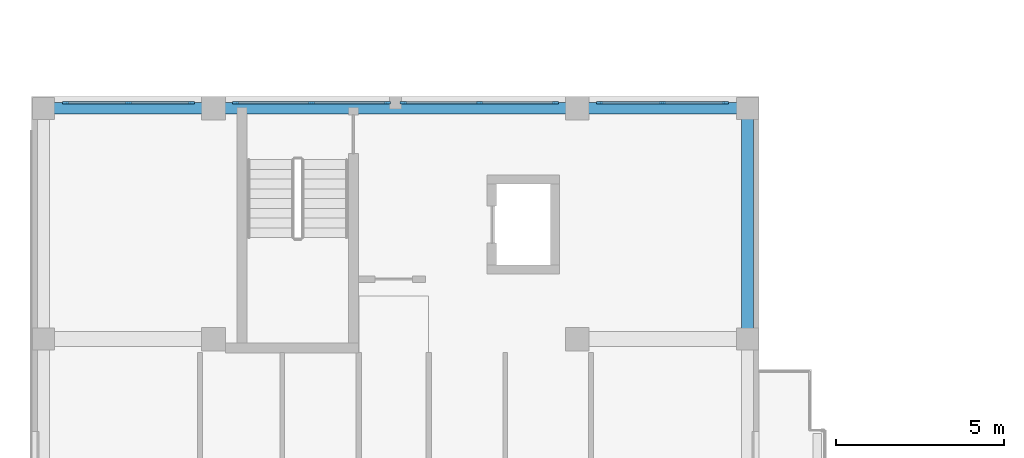
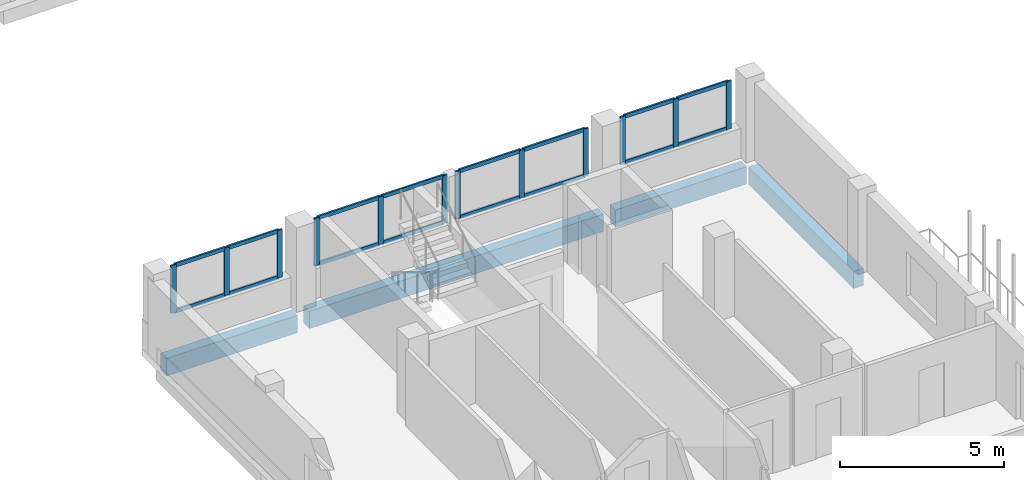
# One storey, part 7 of 56: 28 members, 4 beams, 4 elements without a shape of their own.
"""IFC4 building model written with IfcOpenShell, lengths in metres."""

from ifc_helpers import new_model, si_unit, derived_unit, direction, frame, origin, origin_2d, place, context, subcontext, project, spatial, rectangle, extrude, material, layer, layer_set, material_profile, profile_set, type_object, element, aggregate, save


model = new_model("IFC4")

# Units and contexts
model_context = context("Model", 3, precision=1e-05, world=origin(), true_north=direction((0.0, 1.0)))
body_context = subcontext(model_context, "Body", "Model", "MODEL_VIEW")
ifc_project = project(units=[si_unit("LENGTHUNIT", "METRE"), si_unit("AREAUNIT", "SQUARE_METRE"), si_unit("VOLUMEUNIT", "CUBIC_METRE"), si_unit("PLANEANGLEUNIT", "RADIAN"), si_unit("MASSUNIT", "GRAM", prefix="KILO"), derived_unit("THERMALTRANSMITTANCEUNIT", [(si_unit("MASSUNIT", "GRAM", prefix="KILO"), 1), (si_unit("TIMEUNIT", "SECOND"), -3), (si_unit("THERMODYNAMICTEMPERATUREUNIT", "KELVIN"), -1)])], contexts=[model_context])

# Site, building, storey
site_placement = place(None, origin())
site = spatial("IfcSite", under=ifc_project, at=site_placement, CompositionType="ELEMENT")
building_placement = place(site_placement, origin())
building = spatial("IfcBuilding", under=site, at=building_placement, Name="Ochrekiln Boulevard Commons", CompositionType="ELEMENT")
storey_placement = place(building_placement, frame((0.0, 0.0, 12.074951171875)))
storey = spatial("IfcBuildingStorey", under=building, at=storey_placement, Name="L03", CompositionType="ELEMENT", Elevation=12.074951171875)

# Curtain wall, members
ifc_material_1 = material(Name="Bronze-anodized extruded aluminium 6063-T6", Category="aluminium")
ifc_layer = layer(ifc_material_1, 0.172119140625)
ifc_layer_set = layer_set([ifc_layer], Name="Bronze-anodized extruded aluminium 6063-T6")
curtain_wall_type = type_object("IfcCurtainWallType", Name="CW-GABLE-A", PredefinedType="USERDEFINED", material=ifc_layer_set)
curtain_wall_1_placement = place(storey_placement, origin())
curtain_wall_1 = element("IfcCurtainWall", 1, at=curtain_wall_1_placement, inside=storey, type_object=curtain_wall_type, Name="Block D L03 Courtyard Glazed Gable Curtain Wall 1", ObjectType="GLAZED CURTAIN WALL", PredefinedType="USERDEFINED")
ifc_material_profile_1 = material_profile(ifc_material_1, rectangle(XDim=0.06494140625, YDim=0.179931640625, at=origin_2d()), Name="ALU-MUL-65x180")
ifc_profile_set_1 = profile_set([ifc_material_profile_1], Name="Bronze-anodized extruded aluminium 6063-T6")
member_type_1 = type_object("IfcMemberType", Name="CWM-65x180", PredefinedType="MULLION", material=ifc_profile_set_1)
member_1_placement = place(storey_placement, frame((1.00244140625, 50.217529296875, 1.110107421875), z_axis=(0.0, 0.0, 1.0), x_axis=(0.0, 1.0, 0.0)))
member_1 = element("IfcMember", 2, at=member_1_placement, type_object=member_type_1, Name="CW-01 mullion 1", PredefinedType="MULLION", context=body_context, shape_type="SweptSolid", body=[
    extrude(rectangle(XDim=0.06494140625, YDim=0.179931640625, at=origin_2d()), origin(), (0.0, 0.0, 1.0), 1.780029296875),
])
member_2_placement = place(storey_placement, frame((2.875, 50.217529296875, 1.110107421875), z_axis=(0.0, 0.0, 1.0), x_axis=(0.0, 1.0, 0.0)))
member_2 = element("IfcMember", 3, at=member_2_placement, type_object=member_type_1, Name="CW-01 mullion 2", PredefinedType="MULLION", context=body_context, shape_type="SweptSolid", body=[
    extrude(rectangle(XDim=0.06494140625, YDim=0.179931640625, at=origin_2d()), origin(), (0.0, 0.0, 1.0), 1.780029296875),
])
member_3_placement = place(storey_placement, frame((4.74755859375, 50.217529296875, 1.110107421875), z_axis=(0.0, 0.0, 1.0), x_axis=(0.0, 1.0, 0.0)))
member_3 = element("IfcMember", 4, at=member_3_placement, type_object=member_type_1, Name="CW-01 mullion 3", PredefinedType="MULLION", context=body_context, shape_type="SweptSolid", body=[
    extrude(rectangle(XDim=0.06494140625, YDim=0.179931640625, at=origin_2d()), origin(), (0.0, 0.0, 1.0), 1.780029296875),
])

curtain_wall_2_placement = place(storey_placement, origin())
curtain_wall_2 = element("IfcCurtainWall", 5, at=curtain_wall_2_placement, inside=storey, type_object=curtain_wall_type, Name="Block D L03 Courtyard Glazed Gable Curtain Wall 2", ObjectType="GLAZED CURTAIN WALL", PredefinedType="USERDEFINED")
member_4_placement = place(storey_placement, frame((6.052490234375, 50.217529296875, 1.110107421875), z_axis=(0.0, 0.0, 1.0), x_axis=(0.0, 1.0, 0.0)))
member_4 = element("IfcMember", 6, at=member_4_placement, type_object=member_type_1, Name="CW-01 mullion 1", PredefinedType="MULLION", context=body_context, shape_type="SweptSolid", body=[
    extrude(rectangle(XDim=0.06494140625, YDim=0.179931640625, at=origin_2d()), origin(), (0.0, 0.0, 1.0), 1.780029296875),
])
member_5_placement = place(storey_placement, frame((8.31005859375, 50.217529296875, 1.110107421875), z_axis=(0.0, 0.0, 1.0), x_axis=(0.0, 1.0, 0.0)))
member_5 = element("IfcMember", 7, at=member_5_placement, type_object=member_type_1, Name="CW-01 mullion 2", PredefinedType="MULLION", context=body_context, shape_type="SweptSolid", body=[
    extrude(rectangle(XDim=0.06494140625, YDim=0.179931640625, at=origin_2d()), origin(), (0.0, 0.0, 1.0), 1.780029296875),
])
member_6_placement = place(storey_placement, frame((10.5673828125, 50.217529296875, 1.110107421875), z_axis=(0.0, 0.0, 1.0), x_axis=(0.0, 1.0, 0.0)))
member_6 = element("IfcMember", 8, at=member_6_placement, type_object=member_type_1, Name="CW-01 mullion 3", PredefinedType="MULLION", context=body_context, shape_type="SweptSolid", body=[
    extrude(rectangle(XDim=0.06494140625, YDim=0.179931640625, at=origin_2d()), origin(), (0.0, 0.0, 1.0), 1.780029296875),
])

curtain_wall_3_placement = place(storey_placement, origin())
curtain_wall_3 = element("IfcCurtainWall", 9, at=curtain_wall_3_placement, inside=storey, type_object=curtain_wall_type, Name="Block D L03 Courtyard Glazed Gable Curtain Wall 3", ObjectType="GLAZED CURTAIN WALL", PredefinedType="USERDEFINED")
member_7_placement = place(storey_placement, frame((11.032470703125, 50.217529296875, 1.110107421875), z_axis=(0.0, 0.0, 1.0), x_axis=(0.0, 1.0, 0.0)))
member_7 = element("IfcMember", 10, at=member_7_placement, type_object=member_type_1, Name="CW-01 mullion 1", PredefinedType="MULLION", context=body_context, shape_type="SweptSolid", body=[
    extrude(rectangle(XDim=0.06494140625, YDim=0.179931640625, at=origin_2d()), origin(), (0.0, 0.0, 1.0), 1.780029296875),
])
member_8_placement = place(storey_placement, frame((13.2900390625, 50.217529296875, 1.110107421875), z_axis=(0.0, 0.0, 1.0), x_axis=(0.0, 1.0, 0.0)))
member_8 = element("IfcMember", 11, at=member_8_placement, type_object=member_type_1, Name="CW-01 mullion 2", PredefinedType="MULLION", context=body_context, shape_type="SweptSolid", body=[
    extrude(rectangle(XDim=0.06494140625, YDim=0.179931640625, at=origin_2d()), origin(), (0.0, 0.0, 1.0), 1.780029296875),
])
member_9_placement = place(storey_placement, frame((15.547607421875, 50.217529296875, 1.110107421875), z_axis=(0.0, 0.0, 1.0), x_axis=(0.0, 1.0, 0.0)))
member_9 = element("IfcMember", 12, at=member_9_placement, type_object=member_type_1, Name="CW-01 mullion 3", PredefinedType="MULLION", context=body_context, shape_type="SweptSolid", body=[
    extrude(rectangle(XDim=0.06494140625, YDim=0.179931640625, at=origin_2d()), origin(), (0.0, 0.0, 1.0), 1.780029296875),
])

curtain_wall_4_placement = place(storey_placement, origin())
curtain_wall_4 = element("IfcCurtainWall", 13, at=curtain_wall_4_placement, inside=storey, type_object=curtain_wall_type, Name="Block D L03 Courtyard Glazed Gable Curtain Wall 4", ObjectType="GLAZED CURTAIN WALL", PredefinedType="USERDEFINED")
member_10_placement = place(storey_placement, frame((16.8525390625, 50.217529296875, 1.110107421875), z_axis=(0.0, 0.0, 1.0), x_axis=(0.0, 1.0, 0.0)))
member_10 = element("IfcMember", 14, at=member_10_placement, type_object=member_type_1, Name="CW-01 mullion 1", PredefinedType="MULLION", context=body_context, shape_type="SweptSolid", body=[
    extrude(rectangle(XDim=0.06494140625, YDim=0.179931640625, at=origin_2d()), origin(), (0.0, 0.0, 1.0), 1.780029296875),
])
member_11_placement = place(storey_placement, frame((18.72509765625, 50.217529296875, 1.110107421875), z_axis=(0.0, 0.0, 1.0), x_axis=(0.0, 1.0, 0.0)))
member_11 = element("IfcMember", 15, at=member_11_placement, type_object=member_type_1, Name="CW-01 mullion 2", PredefinedType="MULLION", context=body_context, shape_type="SweptSolid", body=[
    extrude(rectangle(XDim=0.06494140625, YDim=0.179931640625, at=origin_2d()), origin(), (0.0, 0.0, 1.0), 1.780029296875),
])
member_12_placement = place(storey_placement, frame((20.597412109375, 50.217529296875, 1.110107421875), z_axis=(0.0, 0.0, 1.0), x_axis=(0.0, 1.0, 0.0)))
member_12 = element("IfcMember", 16, at=member_12_placement, type_object=member_type_1, Name="CW-01 mullion 3", PredefinedType="MULLION", context=body_context, shape_type="SweptSolid", body=[
    extrude(rectangle(XDim=0.06494140625, YDim=0.179931640625, at=origin_2d()), origin(), (0.0, 0.0, 1.0), 1.780029296875),
])

# Member
ifc_material_profile_2 = material_profile(ifc_material_1, rectangle(XDim=0.06494140625, YDim=0.139892578125, at=origin_2d()), Name="ALU-TRN-65x140")
ifc_profile_set_2 = profile_set([ifc_material_profile_2], Name="Bronze-anodized extruded aluminium 6063-T6")
member_type_2 = type_object("IfcMemberType", Name="CWT-65x140", PredefinedType="USERDEFINED", material=ifc_profile_set_2)
member_13_placement = place(storey_placement, frame((1.034912109375, 50.217529296875, 1.142578125), z_axis=(1.0, 0.0, 0.0), x_axis=(0.0, 1.0, 0.0)))
member_13 = element("IfcMember", 17, at=member_13_placement, type_object=member_type_2, Name="CW-01 transom 1.1", ObjectType="TRANSOM", PredefinedType="USERDEFINED", context=body_context, shape_type="SweptSolid", body=[
    extrude(rectangle(XDim=0.06494140625, YDim=0.139892578125, at=origin_2d()), origin(), (0.0, 0.0, 1.0), 1.8076171875),
])

member_14_placement = place(storey_placement, frame((1.034912109375, 50.217529296875, 2.857666015625), z_axis=(1.0, 0.0, 0.0), x_axis=(0.0, 1.0, 0.0)))
member_14 = element("IfcMember", 18, at=member_14_placement, type_object=member_type_2, Name="CW-01 transom 1.2", ObjectType="TRANSOM", PredefinedType="USERDEFINED", context=body_context, shape_type="SweptSolid", body=[
    extrude(rectangle(XDim=0.06494140625, YDim=0.139892578125, at=origin_2d()), origin(), (0.0, 0.0, 1.0), 1.8076171875),
])

member_15_placement = place(storey_placement, frame((2.907470703125, 50.217529296875, 1.142578125), z_axis=(1.0, 0.0, 0.0), x_axis=(0.0, 1.0, 0.0)))
member_15 = element("IfcMember", 19, at=member_15_placement, type_object=member_type_2, Name="CW-01 transom 2.1", ObjectType="TRANSOM", PredefinedType="USERDEFINED", context=body_context, shape_type="SweptSolid", body=[
    extrude(rectangle(XDim=0.06494140625, YDim=0.139892578125, at=origin_2d()), origin(), (0.0, 0.0, 1.0), 1.8076171875),
])

member_16_placement = place(storey_placement, frame((2.907470703125, 50.217529296875, 2.857666015625), z_axis=(1.0, 0.0, 0.0), x_axis=(0.0, 1.0, 0.0)))
member_16 = element("IfcMember", 20, at=member_16_placement, type_object=member_type_2, Name="CW-01 transom 2.2", ObjectType="TRANSOM", PredefinedType="USERDEFINED", context=body_context, shape_type="SweptSolid", body=[
    extrude(rectangle(XDim=0.06494140625, YDim=0.139892578125, at=origin_2d()), origin(), (0.0, 0.0, 1.0), 1.8076171875),
])

aggregate(curtain_wall_1, [member_1, member_2, member_3, member_13, member_14, member_15, member_16])

member_17_placement = place(storey_placement, frame((6.0849609375, 50.217529296875, 1.142578125), z_axis=(1.0, 0.0, 0.0), x_axis=(0.0, 1.0, 0.0)))
member_17 = element("IfcMember", 21, at=member_17_placement, type_object=member_type_2, Name="CW-01 transom 1.1", ObjectType="TRANSOM", PredefinedType="USERDEFINED", context=body_context, shape_type="SweptSolid", body=[
    extrude(rectangle(XDim=0.06494140625, YDim=0.139892578125, at=origin_2d()), origin(), (0.0, 0.0, 1.0), 2.192626953125),
])

member_18_placement = place(storey_placement, frame((6.0849609375, 50.217529296875, 2.857666015625), z_axis=(1.0, 0.0, 0.0), x_axis=(0.0, 1.0, 0.0)))
member_18 = element("IfcMember", 22, at=member_18_placement, type_object=member_type_2, Name="CW-01 transom 1.2", ObjectType="TRANSOM", PredefinedType="USERDEFINED", context=body_context, shape_type="SweptSolid", body=[
    extrude(rectangle(XDim=0.06494140625, YDim=0.139892578125, at=origin_2d()), origin(), (0.0, 0.0, 1.0), 2.192626953125),
])

member_19_placement = place(storey_placement, frame((8.342529296875, 50.217529296875, 1.142578125), z_axis=(1.0, 0.0, 0.0), x_axis=(0.0, 1.0, 0.0)))
member_19 = element("IfcMember", 23, at=member_19_placement, type_object=member_type_2, Name="CW-01 transom 2.1", ObjectType="TRANSOM", PredefinedType="USERDEFINED", context=body_context, shape_type="SweptSolid", body=[
    extrude(rectangle(XDim=0.06494140625, YDim=0.139892578125, at=origin_2d()), origin(), (0.0, 0.0, 1.0), 2.1923828125),
])

member_20_placement = place(storey_placement, frame((8.342529296875, 50.217529296875, 2.857666015625), z_axis=(1.0, 0.0, 0.0), x_axis=(0.0, 1.0, 0.0)))
member_20 = element("IfcMember", 24, at=member_20_placement, type_object=member_type_2, Name="CW-01 transom 2.2", ObjectType="TRANSOM", PredefinedType="USERDEFINED", context=body_context, shape_type="SweptSolid", body=[
    extrude(rectangle(XDim=0.06494140625, YDim=0.139892578125, at=origin_2d()), origin(), (0.0, 0.0, 1.0), 2.1923828125),
])

aggregate(curtain_wall_2, [member_4, member_5, member_6, member_17, member_18, member_19, member_20])

member_21_placement = place(storey_placement, frame((11.06494140625, 50.217529296875, 1.142578125), z_axis=(1.0, 0.0, 0.0), x_axis=(0.0, 1.0, 0.0)))
member_21 = element("IfcMember", 25, at=member_21_placement, type_object=member_type_2, Name="CW-01 transom 1.1", ObjectType="TRANSOM", PredefinedType="USERDEFINED", context=body_context, shape_type="SweptSolid", body=[
    extrude(rectangle(XDim=0.06494140625, YDim=0.139892578125, at=origin_2d()), origin(), (0.0, 0.0, 1.0), 2.192626953125),
])

member_22_placement = place(storey_placement, frame((11.06494140625, 50.217529296875, 2.857666015625), z_axis=(1.0, 0.0, 0.0), x_axis=(0.0, 1.0, 0.0)))
member_22 = element("IfcMember", 26, at=member_22_placement, type_object=member_type_2, Name="CW-01 transom 1.2", ObjectType="TRANSOM", PredefinedType="USERDEFINED", context=body_context, shape_type="SweptSolid", body=[
    extrude(rectangle(XDim=0.06494140625, YDim=0.139892578125, at=origin_2d()), origin(), (0.0, 0.0, 1.0), 2.192626953125),
])

member_23_placement = place(storey_placement, frame((13.322509765625, 50.217529296875, 1.142578125), z_axis=(1.0, 0.0, 0.0), x_axis=(0.0, 1.0, 0.0)))
member_23 = element("IfcMember", 27, at=member_23_placement, type_object=member_type_2, Name="CW-01 transom 2.1", ObjectType="TRANSOM", PredefinedType="USERDEFINED", context=body_context, shape_type="SweptSolid", body=[
    extrude(rectangle(XDim=0.06494140625, YDim=0.139892578125, at=origin_2d()), origin(), (0.0, 0.0, 1.0), 2.1923828125),
])

member_24_placement = place(storey_placement, frame((13.322509765625, 50.217529296875, 2.857666015625), z_axis=(1.0, 0.0, 0.0), x_axis=(0.0, 1.0, 0.0)))
member_24 = element("IfcMember", 28, at=member_24_placement, type_object=member_type_2, Name="CW-01 transom 2.2", ObjectType="TRANSOM", PredefinedType="USERDEFINED", context=body_context, shape_type="SweptSolid", body=[
    extrude(rectangle(XDim=0.06494140625, YDim=0.139892578125, at=origin_2d()), origin(), (0.0, 0.0, 1.0), 2.1923828125),
])

aggregate(curtain_wall_3, [member_7, member_8, member_9, member_21, member_22, member_23, member_24])

member_25_placement = place(storey_placement, frame((16.885009765625, 50.217529296875, 1.142578125), z_axis=(1.0, 0.0, 0.0), x_axis=(0.0, 1.0, 0.0)))
member_25 = element("IfcMember", 29, at=member_25_placement, type_object=member_type_2, Name="CW-01 transom 1.1", ObjectType="TRANSOM", PredefinedType="USERDEFINED", context=body_context, shape_type="SweptSolid", body=[
    extrude(rectangle(XDim=0.06494140625, YDim=0.139892578125, at=origin_2d()), origin(), (0.0, 0.0, 1.0), 1.807373046875),
])

member_26_placement = place(storey_placement, frame((16.885009765625, 50.217529296875, 2.857666015625), z_axis=(1.0, 0.0, 0.0), x_axis=(0.0, 1.0, 0.0)))
member_26 = element("IfcMember", 30, at=member_26_placement, type_object=member_type_2, Name="CW-01 transom 1.2", ObjectType="TRANSOM", PredefinedType="USERDEFINED", context=body_context, shape_type="SweptSolid", body=[
    extrude(rectangle(XDim=0.06494140625, YDim=0.139892578125, at=origin_2d()), origin(), (0.0, 0.0, 1.0), 1.807373046875),
])

member_27_placement = place(storey_placement, frame((18.757568359375, 50.217529296875, 1.142578125), z_axis=(1.0, 0.0, 0.0), x_axis=(0.0, 1.0, 0.0)))
member_27 = element("IfcMember", 31, at=member_27_placement, type_object=member_type_2, Name="CW-01 transom 2.1", ObjectType="TRANSOM", PredefinedType="USERDEFINED", context=body_context, shape_type="SweptSolid", body=[
    extrude(rectangle(XDim=0.06494140625, YDim=0.139892578125, at=origin_2d()), origin(), (0.0, 0.0, 1.0), 1.807373046875),
])

member_28_placement = place(storey_placement, frame((18.757568359375, 50.217529296875, 2.857666015625), z_axis=(1.0, 0.0, 0.0), x_axis=(0.0, 1.0, 0.0)))
member_28 = element("IfcMember", 32, at=member_28_placement, type_object=member_type_2, Name="CW-01 transom 2.2", ObjectType="TRANSOM", PredefinedType="USERDEFINED", context=body_context, shape_type="SweptSolid", body=[
    extrude(rectangle(XDim=0.06494140625, YDim=0.139892578125, at=origin_2d()), origin(), (0.0, 0.0, 1.0), 1.807373046875),
])

aggregate(curtain_wall_4, [member_10, member_11, member_12, member_25, member_26, member_27, member_28])

# Beams
ifc_material_2 = material(Name="Concrete C40/50", Category="concrete")
ifc_material_profile_3 = material_profile(ifc_material_2, rectangle(XDim=0.35009765625, YDim=0.64990234375, at=origin_2d()), Name="RC-SPN-350x650")
ifc_profile_set_3 = profile_set([ifc_material_profile_3], Name="Concrete C40/50")
beam_type = type_object("IfcBeamType", Name="SPN-RC-350x650", PredefinedType="SPANDREL", material=ifc_profile_set_3)
beam_1_placement = place(storey_placement, frame((0.56005859375, 50.050048828125, -0.5849609375), z_axis=(1.0, 0.0, 0.0), x_axis=(0.0, 1.0, 0.0)))
element("IfcBeam", 33, at=beam_1_placement, inside=storey, type_object=beam_type, Name="Block D L03 Beam SP-3565 X20", PredefinedType="SPANDREL", context=body_context, shape_type="SweptSolid", body=[
    extrude(rectangle(XDim=0.35009765625, YDim=0.64990234375, at=origin_2d()), origin(), (0.0, 0.0, 1.0), 4.6298828125),
])
beam_2_placement = place(storey_placement, frame((5.610107421875, 50.050048828125, -0.5849609375), z_axis=(1.0, 0.0, 0.0), x_axis=(0.0, 1.0, 0.0)))
element("IfcBeam", 34, at=beam_2_placement, inside=storey, type_object=beam_type, Name="Block D L03 Beam SP-3565 X21", PredefinedType="SPANDREL", context=body_context, shape_type="SweptSolid", body=[
    extrude(rectangle(XDim=0.35009765625, YDim=0.64990234375, at=origin_2d()), origin(), (0.0, 0.0, 1.0), 10.3798828125),
])
beam_3_placement = place(storey_placement, frame((16.409912109375, 50.050048828125, -0.5849609375), z_axis=(1.0, 0.0, 0.0), x_axis=(0.0, 1.0, 0.0)))
element("IfcBeam", 35, at=beam_3_placement, inside=storey, type_object=beam_type, Name="Block D L03 Beam SP-3565 X22", PredefinedType="SPANDREL", context=body_context, shape_type="SweptSolid", body=[
    extrude(rectangle(XDim=0.35009765625, YDim=0.64990234375, at=origin_2d()), origin(), (0.0, 0.0, 1.0), 4.630126953125),
])
beam_4_placement = place(storey_placement, frame((21.25, 43.409912109375, -0.5849609375), z_axis=(0.0, 1.0, 0.0), x_axis=(-1.0, 0.0, 0.0)))
element("IfcBeam", 36, at=beam_4_placement, inside=storey, type_object=beam_type, Name="Block D L03 Beam SP-3565 Y36", PredefinedType="SPANDREL", context=body_context, shape_type="SweptSolid", body=[
    extrude(rectangle(XDim=0.35009765625, YDim=0.64990234375, at=origin_2d()), origin(), (0.0, 0.0, 1.0), 6.43017578125),
])

save(model, "model.ifc")
